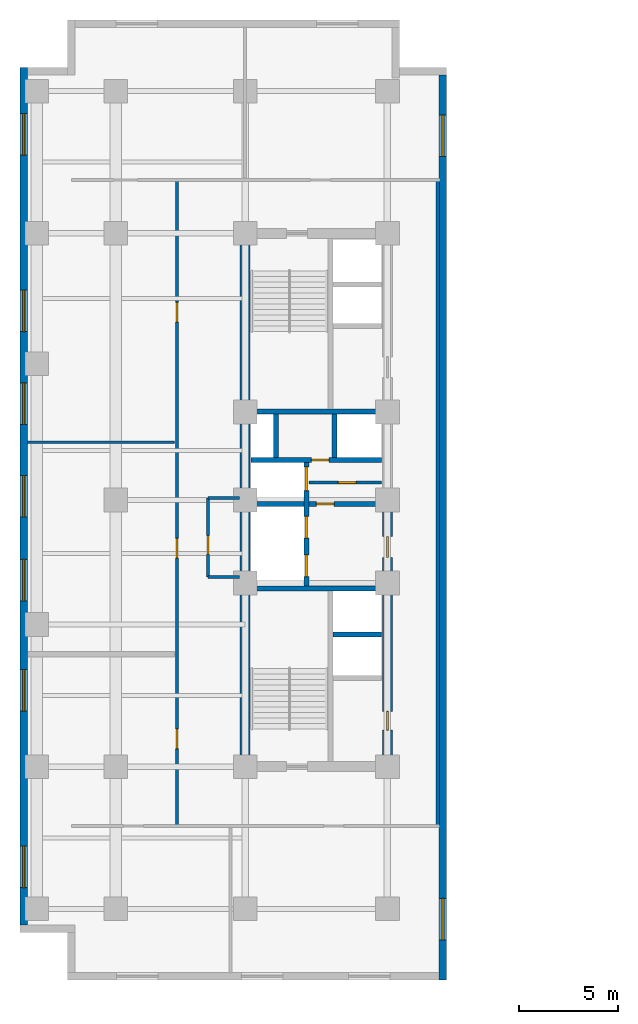
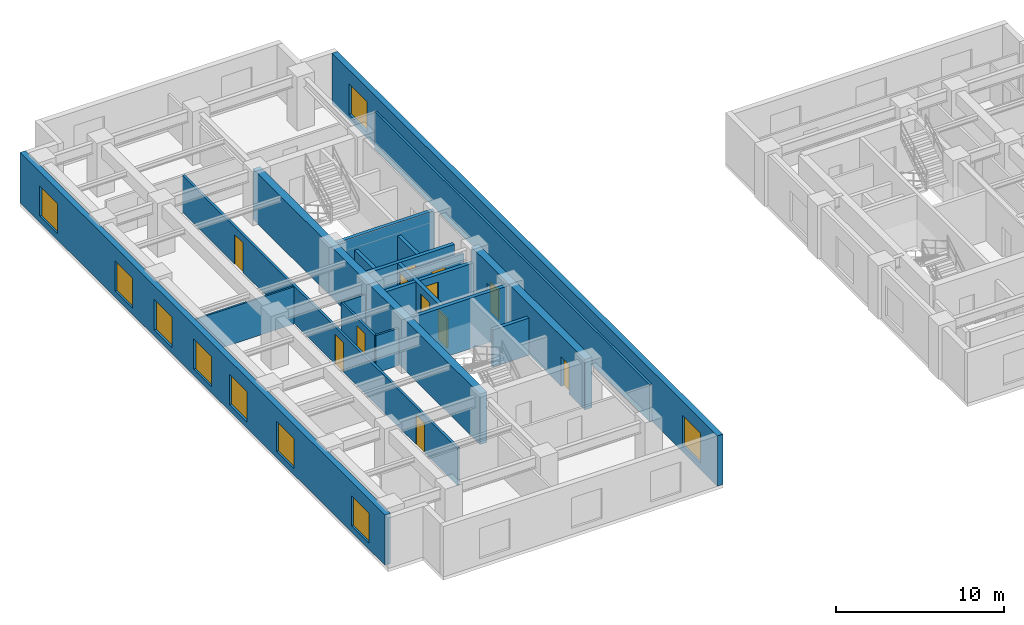
# One storey, part 3 of 8: 19 walls, 12 doors, 9 windows, 21 openings.
"""IFC4 building model written with IfcOpenShell, lengths in metres."""

from ifc_helpers import new_model, entity, si_unit, converted_unit, direction, frame, origin_with_axes, origin_2d_with_axis, place, context, subcontext, project, spatial, polyline, rectangle, outline, extrude, material, layer, layer_set, type_object, element, fill, save


model = new_model("IFC4")

# Units and contexts
model_context = context("Model", 3, precision=1e-05, world=origin_with_axes(), true_north=direction((0.0, 1.0)))
body_context = subcontext(model_context, "Body", "Model", "MODEL_VIEW")
ifc_project = project(units=[si_unit("LENGTHUNIT", "METRE"), si_unit("AREAUNIT", "SQUARE_METRE"), si_unit("VOLUMEUNIT", "CUBIC_METRE"), converted_unit("PLANEANGLEUNIT", "DEGREE", entity("IfcPlaneAngleMeasure", 0.017453292519943295), si_unit("PLANEANGLEUNIT", "RADIAN"), dimensions=[0, 0, 0, 0, 0, 0, 0]), si_unit("MASSUNIT", "GRAM", prefix="KILO"), si_unit("THERMODYNAMICTEMPERATUREUNIT", "KELVIN")], contexts=[model_context])

# Site, building, storey
site_placement = place(None, origin_with_axes())
site = spatial("IfcSite", under=ifc_project, at=site_placement, CompositionType="ELEMENT")
building_placement = place(site_placement, origin_with_axes())
building = spatial("IfcBuilding", under=site, at=building_placement, Name="Varnlund Millrace Tower", CompositionType="ELEMENT")
storey_placement = place(building_placement, frame((0.0, 0.0, 89.1), z_axis=(0.0, 0.0, 1.0), x_axis=(1.0, 0.0, 0.0)))
storey = spatial("IfcBuildingStorey", under=building, at=storey_placement, Name="L21", CompositionType="ELEMENT", Elevation=89.1)

# Wall
ifc_material_1 = material(Name="Concrete C70/85", Category="concrete")
ifc_layer_1 = layer(ifc_material_1, 0.5, Name="Concrete C70/85")
ifc_layer_set_1 = layer_set([ifc_layer_1], Name="Concrete C70/85")
wall_type_1 = type_object("IfcWallType", Name="Type-CoreWall-Shear-500-C70", PredefinedType="SHEAR", material=ifc_layer_set_1)
wall_1_placement = place(storey_placement, frame((11.4, 10.8, 0.0), z_axis=(0.0, 0.0, 1.0), x_axis=(0.0, 1.0, 0.0)))
element("IfcWall", 1, at=wall_1_placement, inside=storey, type_object=wall_type_1, Name="Type-CoreWall-Shear-500-C70", PredefinedType="SHEAR", context=body_context, shape_type="SweptSolid", body=[
    extrude(outline(polyline([(0.0, -0.25), (27.0, -0.25), (27.0, 0.25), (0.0, 0.25), (0.0, -0.25)])), origin_with_axes(), (0.0, 0.0, 1.0), 3.66),
])

# Wall, openings, doors
wall_2_placement = place(storey_placement, frame((18.6, 10.8, 0.0), z_axis=(0.0, 0.0, 1.0), x_axis=(0.0, 1.0, 0.0)))
wall_2 = element("IfcWall", 2, at=wall_2_placement, inside=storey, type_object=wall_type_1, Name="Type-CoreWall-Shear-500-C70", PredefinedType="SHEAR", context=body_context, shape_type="SweptSolid", body=[
    extrude(outline(polyline([(0.0, -0.25), (13.5, -0.25), (13.5, 0.25), (0.0, 0.25), (0.0, -0.25)])), origin_with_axes(), (0.0, 0.0, 1.0), 3.66),
])
opening_1_placement = place(wall_2_placement, frame((11.125, 0.0, 0.0), z_axis=(0.0, 0.0, 1.0), x_axis=(1.0, 0.0, 0.0)))
opening_1 = element("IfcOpeningElement", 3, at=opening_1_placement, cuts=wall_2, Name="Opening L21:DR-FFLOB-A", PredefinedType="OPENING", context=body_context, shape_type="SweptSolid", body=[
    extrude(rectangle(XDim=1.05, YDim=0.52, at=origin_2d_with_axis()), origin_with_axes(), (0.0, 0.0, 1.0), 2.15),
])
opening_2_placement = place(wall_2_placement, frame((2.325, 0.0, 0.0), z_axis=(0.0, 0.0, 1.0), x_axis=(1.0, 0.0, 0.0)))
opening_2 = element("IfcOpeningElement", 4, at=opening_2_placement, cuts=wall_2, Name="Opening L21:DR-RECL-B1", PredefinedType="OPENING", context=body_context, shape_type="SweptSolid", body=[
    extrude(rectangle(XDim=0.95, YDim=0.52, at=origin_2d_with_axis()), origin_with_axes(), (0.0, 0.0, 1.0), 2.15),
])
ifc_material_2 = material(Name="Smoke-barrier hollow steel fire door", Category="steel")
door_type_1 = type_object("IfcDoorType", Name="Type-FireDoor-Lobby-1050X2150", OperationType="NOTDEFINED", PredefinedType="DOOR", material=ifc_material_2)
door_1_placement = place(wall_2_placement, frame((11.125, 0.0, 0.0), z_axis=(0.0, 0.0, 1.0), x_axis=(1.0, 0.0, 0.0)))
door_1 = element("IfcDoor", 5, at=door_1_placement, inside=storey, type_object=door_type_1, Name="Type-FireDoor-Lobby-1050X2150", OperationType="SINGLE_SWING_LEFT", OverallHeight=2.15, OverallWidth=1.05, PredefinedType="DOOR", context=body_context, shape_type="SweptSolid", body=[
    extrude(rectangle(XDim=1.05, YDim=0.09, at=origin_2d_with_axis()), origin_with_axes(), (0.0, 0.0, 1.0), 2.15),
])
fill(opening_1, door_1)
ifc_material_3 = material(Name="Fire-rated hollow steel core service door", Category="steel")
door_type_2 = type_object("IfcDoorType", Name="Type-FireDoor-Service-950X2150", OperationType="NOTDEFINED", PredefinedType="DOOR", material=ifc_material_3)
door_2_placement = place(wall_2_placement, frame((2.325, 0.0, 0.0), z_axis=(0.0, 0.0, 1.0), x_axis=(1.0, 0.0, 0.0)))
door_2 = element("IfcDoor", 6, at=door_2_placement, inside=storey, type_object=door_type_2, Name="Type-FireDoor-Service-950X2150", OperationType="SINGLE_SWING_LEFT", OverallHeight=2.15, OverallWidth=0.95, PredefinedType="DOOR", context=body_context, shape_type="SweptSolid", body=[
    extrude(rectangle(XDim=0.95, YDim=0.09, at=origin_2d_with_axis()), origin_with_axes(), (0.0, 0.0, 1.0), 2.15),
])
fill(opening_2, door_2)

# Wall, openings, windows
ifc_material_4 = material(Name="Precast concrete C50/60", Category="concrete")
ifc_layer_2 = layer(ifc_material_4, 0.38, Name="Precast concrete C50/60")
ifc_layer_set_2 = layer_set([ifc_layer_2], Name="Precast concrete C50/60")
wall_type_2 = type_object("IfcWallType", Name="Type-ExtWall-Precast-Tube-380", PredefinedType="SOLIDWALL", material=ifc_layer_set_2)
wall_3_placement = place(storey_placement, frame((0.19, 2.78, 0.0), z_axis=(0.0, 0.0, 1.0), x_axis=(0.0, 1.0, 0.0)))
wall_3 = element("IfcWall", 7, at=wall_3_placement, inside=storey, type_object=wall_type_2, Name="Type-ExtWall-Precast-Tube-380", PredefinedType="SOLIDWALL", context=body_context, shape_type="SweptSolid", body=[
    extrude(outline(polyline([(0.0, -0.19), (43.42, -0.19), (43.42, 0.19), (0.0, 0.19), (0.0, -0.19)])), origin_with_axes(), (0.0, 0.0, 1.0), 3.66),
])
opening_3_placement = place(wall_3_placement, frame((2.946, 0.0, 0.45), z_axis=(0.0, 0.0, 1.0), x_axis=(1.0, 0.0, 0.0)))
opening_3 = element("IfcOpeningElement", 8, at=opening_3_placement, cuts=wall_3, Name="Opening L21:WN-01", PredefinedType="OPENING", context=body_context, shape_type="SweptSolid", body=[
    extrude(rectangle(XDim=2.1, YDim=0.4, at=origin_2d_with_axis()), origin_with_axes(), (0.0, 0.0, 1.0), 2.2),
])
opening_4_placement = place(wall_3_placement, frame((11.878, 0.0, 0.45), z_axis=(0.0, 0.0, 1.0), x_axis=(1.0, 0.0, 0.0)))
opening_4 = element("IfcOpeningElement", 9, at=opening_4_placement, cuts=wall_3, Name="Opening L21:WN-02", PredefinedType="OPENING", context=body_context, shape_type="SweptSolid", body=[
    extrude(rectangle(XDim=2.1, YDim=0.4, at=origin_2d_with_axis()), origin_with_axes(), (0.0, 0.0, 1.0), 2.2),
])
opening_5_placement = place(wall_3_placement, frame((17.469, 0.0, 0.45), z_axis=(0.0, 0.0, 1.0), x_axis=(1.0, 0.0, 0.0)))
opening_5 = element("IfcOpeningElement", 10, at=opening_5_placement, cuts=wall_3, Name="Opening L21:WN-03", PredefinedType="OPENING", context=body_context, shape_type="SweptSolid", body=[
    extrude(rectangle(XDim=2.1, YDim=0.4, at=origin_2d_with_axis()), origin_with_axes(), (0.0, 0.0, 1.0), 2.2),
])
opening_6_placement = place(wall_3_placement, frame((21.71, 0.0, 0.45), z_axis=(0.0, 0.0, 1.0), x_axis=(1.0, 0.0, 0.0)))
opening_6 = element("IfcOpeningElement", 11, at=opening_6_placement, cuts=wall_3, Name="Opening L21:WN-04", PredefinedType="OPENING", context=body_context, shape_type="SweptSolid", body=[
    extrude(rectangle(XDim=2.1, YDim=0.4, at=origin_2d_with_axis()), origin_with_axes(), (0.0, 0.0, 1.0), 2.2),
])
opening_7_placement = place(wall_3_placement, frame((26.401, 0.0, 0.45), z_axis=(0.0, 0.0, 1.0), x_axis=(1.0, 0.0, 0.0)))
opening_7 = element("IfcOpeningElement", 12, at=opening_7_placement, cuts=wall_3, Name="Opening L21:WN-05", PredefinedType="OPENING", context=body_context, shape_type="SweptSolid", body=[
    extrude(rectangle(XDim=2.1, YDim=0.4, at=origin_2d_with_axis()), origin_with_axes(), (0.0, 0.0, 1.0), 2.2),
])
opening_8_placement = place(wall_3_placement, frame((31.092, 0.0, 0.45), z_axis=(0.0, 0.0, 1.0), x_axis=(1.0, 0.0, 0.0)))
opening_8 = element("IfcOpeningElement", 13, at=opening_8_placement, cuts=wall_3, Name="Opening L21:WN-06", PredefinedType="OPENING", context=body_context, shape_type="SweptSolid", body=[
    extrude(rectangle(XDim=2.1, YDim=0.4, at=origin_2d_with_axis()), origin_with_axes(), (0.0, 0.0, 1.0), 2.2),
])
opening_9_placement = place(wall_3_placement, frame((40.024, 0.0, 0.45), z_axis=(0.0, 0.0, 1.0), x_axis=(1.0, 0.0, 0.0)))
opening_9 = element("IfcOpeningElement", 14, at=opening_9_placement, cuts=wall_3, Name="Opening L21:WN-07", PredefinedType="OPENING", context=body_context, shape_type="SweptSolid", body=[
    extrude(rectangle(XDim=2.1, YDim=0.4, at=origin_2d_with_axis()), origin_with_axes(), (0.0, 0.0, 1.0), 2.2),
])
ifc_material_5 = material(Name="Argon low-e triple glazing in thermally broken bronze frame", Category="glass")
window_type = type_object("IfcWindowType", Name="Type-Window-Punched-2100X2200", PartitioningType="SINGLE_PANEL", PredefinedType="WINDOW", material=ifc_material_5)
window_1_placement = place(wall_3_placement, frame((2.946, 0.0, 0.45), z_axis=(0.0, 0.0, 1.0), x_axis=(1.0, 0.0, 0.0)))
window_1 = element("IfcWindow", 15, at=window_1_placement, inside=storey, type_object=window_type, Name="Type-Window-Punched-2100X2200", OverallHeight=2.2, OverallWidth=2.1, PredefinedType="WINDOW", context=body_context, shape_type="SweptSolid", body=[
    extrude(rectangle(XDim=2.1, YDim=0.09, at=origin_2d_with_axis()), origin_with_axes(), (0.0, 0.0, 1.0), 2.2),
])
fill(opening_3, window_1)
window_2_placement = place(wall_3_placement, frame((11.878, 0.0, 0.45), z_axis=(0.0, 0.0, 1.0), x_axis=(1.0, 0.0, 0.0)))
window_2 = element("IfcWindow", 16, at=window_2_placement, inside=storey, type_object=window_type, Name="Type-Window-Punched-2100X2200", OverallHeight=2.2, OverallWidth=2.1, PredefinedType="WINDOW", context=body_context, shape_type="SweptSolid", body=[
    extrude(rectangle(XDim=2.1, YDim=0.09, at=origin_2d_with_axis()), origin_with_axes(), (0.0, 0.0, 1.0), 2.2),
])
fill(opening_4, window_2)
window_3_placement = place(wall_3_placement, frame((17.469, 0.0, 0.45), z_axis=(0.0, 0.0, 1.0), x_axis=(1.0, 0.0, 0.0)))
window_3 = element("IfcWindow", 17, at=window_3_placement, inside=storey, type_object=window_type, Name="Type-Window-Punched-2100X2200", OverallHeight=2.2, OverallWidth=2.1, PredefinedType="WINDOW", context=body_context, shape_type="SweptSolid", body=[
    extrude(rectangle(XDim=2.1, YDim=0.09, at=origin_2d_with_axis()), origin_with_axes(), (0.0, 0.0, 1.0), 2.2),
])
fill(opening_5, window_3)
window_4_placement = place(wall_3_placement, frame((21.71, 0.0, 0.45), z_axis=(0.0, 0.0, 1.0), x_axis=(1.0, 0.0, 0.0)))
window_4 = element("IfcWindow", 18, at=window_4_placement, inside=storey, type_object=window_type, Name="Type-Window-Punched-2100X2200", OverallHeight=2.2, OverallWidth=2.1, PredefinedType="WINDOW", context=body_context, shape_type="SweptSolid", body=[
    extrude(rectangle(XDim=2.1, YDim=0.09, at=origin_2d_with_axis()), origin_with_axes(), (0.0, 0.0, 1.0), 2.2),
])
fill(opening_6, window_4)
window_5_placement = place(wall_3_placement, frame((26.401, 0.0, 0.45), z_axis=(0.0, 0.0, 1.0), x_axis=(1.0, 0.0, 0.0)))
window_5 = element("IfcWindow", 19, at=window_5_placement, inside=storey, type_object=window_type, Name="Type-Window-Punched-2100X2200", OverallHeight=2.2, OverallWidth=2.1, PredefinedType="WINDOW", context=body_context, shape_type="SweptSolid", body=[
    extrude(rectangle(XDim=2.1, YDim=0.09, at=origin_2d_with_axis()), origin_with_axes(), (0.0, 0.0, 1.0), 2.2),
])
fill(opening_7, window_5)
window_6_placement = place(wall_3_placement, frame((31.092, 0.0, 0.45), z_axis=(0.0, 0.0, 1.0), x_axis=(1.0, 0.0, 0.0)))
window_6 = element("IfcWindow", 20, at=window_6_placement, inside=storey, type_object=window_type, Name="Type-Window-Punched-2100X2200", OverallHeight=2.2, OverallWidth=2.1, PredefinedType="WINDOW", context=body_context, shape_type="SweptSolid", body=[
    extrude(rectangle(XDim=2.1, YDim=0.09, at=origin_2d_with_axis()), origin_with_axes(), (0.0, 0.0, 1.0), 2.2),
])
fill(opening_8, window_6)
window_7_placement = place(wall_3_placement, frame((40.024, 0.0, 0.45), z_axis=(0.0, 0.0, 1.0), x_axis=(1.0, 0.0, 0.0)))
window_7 = element("IfcWindow", 21, at=window_7_placement, inside=storey, type_object=window_type, Name="Type-Window-Punched-2100X2200", OverallHeight=2.2, OverallWidth=2.1, PredefinedType="WINDOW", context=body_context, shape_type="SweptSolid", body=[
    extrude(rectangle(XDim=2.1, YDim=0.09, at=origin_2d_with_axis()), origin_with_axes(), (0.0, 0.0, 1.0), 2.2),
])
fill(opening_9, window_7)

wall_4_placement = place(storey_placement, frame((21.41, 45.82, 0.0), z_axis=(0.0, 0.0, 1.0), x_axis=(0.0, -1.0, 0.0)))
wall_4 = element("IfcWall", 22, at=wall_4_placement, inside=storey, type_object=wall_type_2, Name="Type-ExtWall-Precast-Tube-380", PredefinedType="SOLIDWALL", context=body_context, shape_type="SweptSolid", body=[
    extrude(outline(polyline([(0.0, -0.19), (45.82, -0.19), (45.82, 0.19), (0.0, 0.19), (0.0, -0.19)])), origin_with_axes(), (0.0, 0.0, 1.0), 3.66),
])
opening_10_placement = place(wall_4_placement, frame((3.079, 0.0, 0.45), z_axis=(0.0, 0.0, 1.0), x_axis=(1.0, 0.0, 0.0)))
opening_10 = element("IfcOpeningElement", 23, at=opening_10_placement, cuts=wall_4, Name="Opening L21:WN-10", PredefinedType="OPENING", context=body_context, shape_type="SweptSolid", body=[
    extrude(rectangle(XDim=2.1, YDim=0.4, at=origin_2d_with_axis()), origin_with_axes(), (0.0, 0.0, 1.0), 2.2),
])
opening_11_placement = place(wall_4_placement, frame((42.741, 0.0, 0.45), z_axis=(0.0, 0.0, 1.0), x_axis=(1.0, 0.0, 0.0)))
opening_11 = element("IfcOpeningElement", 24, at=opening_11_placement, cuts=wall_4, Name="Opening L21:WN-11", PredefinedType="OPENING", context=body_context, shape_type="SweptSolid", body=[
    extrude(rectangle(XDim=2.1, YDim=0.4, at=origin_2d_with_axis()), origin_with_axes(), (0.0, 0.0, 1.0), 2.2),
])
window_8_placement = place(wall_4_placement, frame((3.079, 0.0, 0.45), z_axis=(0.0, 0.0, 1.0), x_axis=(1.0, 0.0, 0.0)))
window_8 = element("IfcWindow", 25, at=window_8_placement, inside=storey, type_object=window_type, Name="Type-Window-Punched-2100X2200", OverallHeight=2.2, OverallWidth=2.1, PredefinedType="WINDOW", context=body_context, shape_type="SweptSolid", body=[
    extrude(rectangle(XDim=2.1, YDim=0.09, at=origin_2d_with_axis()), origin_with_axes(), (0.0, 0.0, 1.0), 2.2),
])
fill(opening_10, window_8)
window_9_placement = place(wall_4_placement, frame((42.741, 0.0, 0.45), z_axis=(0.0, 0.0, 1.0), x_axis=(1.0, 0.0, 0.0)))
window_9 = element("IfcWindow", 26, at=window_9_placement, inside=storey, type_object=window_type, Name="Type-Window-Punched-2100X2200", OverallHeight=2.2, OverallWidth=2.1, PredefinedType="WINDOW", context=body_context, shape_type="SweptSolid", body=[
    extrude(rectangle(XDim=2.1, YDim=0.09, at=origin_2d_with_axis()), origin_with_axes(), (0.0, 0.0, 1.0), 2.2),
])
fill(opening_11, window_9)

# Wall, opening, door
ifc_material_6 = material(Name="Fire-rated gypsum board on cold-formed steel framing", Category="steel")
ifc_layer_3 = layer(ifc_material_6, 0.16, Name="Fire-rated gypsum board on cold-formed steel framing")
ifc_layer_set_3 = layer_set([ifc_layer_3], Name="Fire-rated gypsum board on cold-formed steel framing")
wall_type_3 = type_object("IfcWallType", Name="Type-Partition-Corridor-160", PredefinedType="PARTITIONING", material=ifc_layer_set_3)
wall_5_placement = place(storey_placement, frame((14.62, 25.18, 0.0), z_axis=(0.0, 0.0, 1.0), x_axis=(1.0, 0.0, 0.0)))
wall_5 = element("IfcWall", 27, at=wall_5_placement, inside=storey, type_object=wall_type_3, Name="Type-Partition-Corridor-160", PredefinedType="PARTITIONING", context=body_context, shape_type="SweptSolid", body=[
    extrude(outline(polyline([(0.0, -0.08), (3.68, -0.08), (3.68, 0.08), (0.0, 0.08), (0.0, -0.08)])), origin_with_axes(), (0.0, 0.0, 1.0), 2.7),
])
opening_12_placement = place(wall_5_placement, frame((1.95, 0.0, 0.0), z_axis=(0.0, 0.0, 1.0), x_axis=(1.0, 0.0, 0.0)))
opening_12 = element("IfcOpeningElement", 28, at=opening_12_placement, cuts=wall_5, Name="Opening L21:DR-CA-SUB2", PredefinedType="OPENING", context=body_context, shape_type="SweptSolid", body=[
    extrude(rectangle(XDim=0.9, YDim=0.18, at=origin_2d_with_axis()), origin_with_axes(), (0.0, 0.0, 1.0), 2.15),
])
ifc_material_7 = material(Name="Painted steel riser and closet door", Category="steel")
door_type_3 = type_object("IfcDoorType", Name="Type-IntDoor-Closet-900X2150", OperationType="NOTDEFINED", PredefinedType="DOOR", material=ifc_material_7)
door_3_placement = place(wall_5_placement, frame((1.95, 0.0, 0.0), z_axis=(0.0, 0.0, 1.0), x_axis=(1.0, 0.0, 0.0)))
door_3 = element("IfcDoor", 29, at=door_3_placement, inside=storey, type_object=door_type_3, Name="Type-IntDoor-Closet-900X2150", OperationType="SINGLE_SWING_LEFT", OverallHeight=2.15, OverallWidth=0.9, PredefinedType="DOOR", context=body_context, shape_type="SweptSolid", body=[
    extrude(rectangle(XDim=0.9, YDim=0.09, at=origin_2d_with_axis()), origin_with_axes(), (0.0, 0.0, 1.0), 2.15),
])
fill(opening_12, door_3)

# Wall
wall_6_placement = place(storey_placement, frame((21.15, 7.8, 0.0), z_axis=(0.0, 0.0, 1.0), x_axis=(0.0, 1.0, 0.0)))
element("IfcWall", 30, at=wall_6_placement, inside=storey, type_object=wall_type_3, Name="Type-Partition-Corridor-160", PredefinedType="PARTITIONING", context=body_context, shape_type="SweptSolid", body=[
    extrude(outline(polyline([(0.0, -0.08), (32.7, -0.08), (32.7, 0.08), (0.0, 0.08), (0.0, -0.08)])), origin_with_axes(), (0.0, 0.0, 1.0), 2.7),
])

# Wall, openings, doors
wall_7_placement = place(storey_placement, frame((7.95, 7.8, 0.0), z_axis=(0.0, 0.0, 1.0), x_axis=(0.0, 1.0, 0.0)))
wall_7 = element("IfcWall", 31, at=wall_7_placement, inside=storey, type_object=wall_type_3, Name="Type-Partition-Corridor-160", PredefinedType="PARTITIONING", context=body_context, shape_type="SweptSolid", body=[
    extrude(outline(polyline([(0.0, -0.08), (32.7, -0.08), (32.7, 0.08), (0.0, 0.08), (0.0, -0.08)])), origin_with_axes(), (0.0, 0.0, 1.0), 2.7),
])
opening_13_placement = place(wall_7_placement, frame((4.411, 0.0, 0.0), z_axis=(0.0, 0.0, 1.0), x_axis=(1.0, 0.0, 0.0)))
opening_13 = element("IfcOpeningElement", 32, at=opening_13_placement, cuts=wall_7, Name="Opening L21:DR-W-01", PredefinedType="OPENING", context=body_context, shape_type="SweptSolid", body=[
    extrude(rectangle(XDim=1.0, YDim=0.18, at=origin_2d_with_axis()), origin_with_axes(), (0.0, 0.0, 1.0), 2.15),
])
opening_14_placement = place(wall_7_placement, frame((14.0605, 0.0, 0.0), z_axis=(0.0, 0.0, 1.0), x_axis=(1.0, 0.0, 0.0)))
opening_14 = element("IfcOpeningElement", 33, at=opening_14_placement, cuts=wall_7, Name="Opening L21:DR-W-02", PredefinedType="OPENING", context=body_context, shape_type="SweptSolid", body=[
    extrude(rectangle(XDim=1.0, YDim=0.18, at=origin_2d_with_axis()), origin_with_axes(), (0.0, 0.0, 1.0), 2.15),
])
opening_15_placement = place(wall_7_placement, frame((25.9995, 0.0, 0.0), z_axis=(0.0, 0.0, 1.0), x_axis=(1.0, 0.0, 0.0)))
opening_15 = element("IfcOpeningElement", 34, at=opening_15_placement, cuts=wall_7, Name="Opening L21:DR-W-03", PredefinedType="OPENING", context=body_context, shape_type="SweptSolid", body=[
    extrude(rectangle(XDim=1.0, YDim=0.18, at=origin_2d_with_axis()), origin_with_axes(), (0.0, 0.0, 1.0), 2.15),
])
ifc_material_8 = material(Name="Solid-core white oak and bronze frame door")
door_type_4 = type_object("IfcDoorType", Name="Type-IntDoor-Office-1000X2150", OperationType="NOTDEFINED", PredefinedType="DOOR", material=ifc_material_8)
door_4_placement = place(wall_7_placement, frame((4.411, 0.0, 0.0), z_axis=(0.0, 0.0, 1.0), x_axis=(1.0, 0.0, 0.0)))
door_4 = element("IfcDoor", 35, at=door_4_placement, inside=storey, type_object=door_type_4, Name="Type-IntDoor-Office-1000X2150", OperationType="SINGLE_SWING_LEFT", OverallHeight=2.15, OverallWidth=1.0, PredefinedType="DOOR", context=body_context, shape_type="SweptSolid", body=[
    extrude(rectangle(XDim=1.0, YDim=0.09, at=origin_2d_with_axis()), origin_with_axes(), (0.0, 0.0, 1.0), 2.15),
])
fill(opening_13, door_4)
door_5_placement = place(wall_7_placement, frame((14.0605, 0.0, 0.0), z_axis=(0.0, 0.0, 1.0), x_axis=(1.0, 0.0, 0.0)))
door_5 = element("IfcDoor", 36, at=door_5_placement, inside=storey, type_object=door_type_4, Name="Type-IntDoor-Office-1000X2150", OperationType="SINGLE_SWING_RIGHT", OverallHeight=2.15, OverallWidth=1.0, PredefinedType="DOOR", context=body_context, shape_type="SweptSolid", body=[
    extrude(rectangle(XDim=1.0, YDim=0.09, at=origin_2d_with_axis()), origin_with_axes(), (0.0, 0.0, 1.0), 2.15),
])
fill(opening_14, door_5)
door_6_placement = place(wall_7_placement, frame((25.9995, 0.0, 0.0), z_axis=(0.0, 0.0, 1.0), x_axis=(1.0, 0.0, 0.0)))
door_6 = element("IfcDoor", 37, at=door_6_placement, inside=storey, type_object=door_type_4, Name="Type-IntDoor-Office-1000X2150", OperationType="SINGLE_SWING_LEFT", OverallHeight=2.15, OverallWidth=1.0, PredefinedType="DOOR", context=body_context, shape_type="SweptSolid", body=[
    extrude(rectangle(XDim=1.0, YDim=0.09, at=origin_2d_with_axis()), origin_with_axes(), (0.0, 0.0, 1.0), 2.15),
])
fill(opening_15, door_6)

# Wall
ifc_material_9 = material(Name="Gypsum board tenant partition", Category="gypsum")
ifc_layer_4 = layer(ifc_material_9, 0.125, Name="Gypsum board tenant partition")
ifc_layer_set_4 = layer_set([ifc_layer_4], Name="Gypsum board tenant partition")
wall_type_4 = type_object("IfcWallType", Name="Type-Partition-Tenant-125", PredefinedType="PARTITIONING", material=ifc_layer_set_4)
wall_8_placement = place(storey_placement, frame((0.375, 27.229, 0.0), z_axis=(0.0, 0.0, 1.0), x_axis=(1.0, 0.0, 0.0)))
element("IfcWall", 38, at=wall_8_placement, inside=storey, type_object=wall_type_4, Name="Type-Partition-Tenant-125", PredefinedType="PARTITIONING", context=body_context, shape_type="SweptSolid", body=[
    extrude(outline(polyline([(0.0, -0.0625), (7.455, -0.0625), (7.455, 0.0625), (0.0, 0.0625), (0.0, -0.0625)])), origin_with_axes(), (0.0, 0.0, 1.0), 2.7),
])

# Wall, opening, door
ifc_material_10 = material(Name="Moisture-resistant gypsum restroom partition", Category="gypsum")
ifc_layer_5 = layer(ifc_material_10, 0.14, Name="Moisture-resistant gypsum restroom partition")
ifc_layer_set_5 = layer_set([ifc_layer_5], Name="Moisture-resistant gypsum restroom partition")
wall_type_5 = type_object("IfcWallType", Name="Type-Partition-Wet-140", PredefinedType="PARTITIONING", material=ifc_layer_set_5)
wall_9_placement = place(storey_placement, frame((9.52, 20.4, 0.0), z_axis=(0.0, 0.0, 1.0), x_axis=(0.0, 1.0, 0.0)))
wall_9 = element("IfcWall", 39, at=wall_9_placement, inside=storey, type_object=wall_type_5, Name="Type-Partition-Wet-140", PredefinedType="PARTITIONING", context=body_context, shape_type="SweptSolid", body=[
    extrude(outline(polyline([(0.0, -0.07), (4.0, -0.07), (4.0, 0.07), (0.0, 0.07), (0.0, -0.07)])), origin_with_axes(), (0.0, 0.0, 1.0), 2.7),
])
opening_16_placement = place(wall_9_placement, frame((1.625, 0.0, 0.0), z_axis=(0.0, 0.0, 1.0), x_axis=(1.0, 0.0, 0.0)))
opening_16 = element("IfcOpeningElement", 40, at=opening_16_placement, cuts=wall_9, Name="Opening L21:DR-CA-WCW", PredefinedType="OPENING", context=body_context, shape_type="SweptSolid", body=[
    extrude(rectangle(XDim=0.95, YDim=0.16, at=origin_2d_with_axis()), origin_with_axes(), (0.0, 0.0, 1.0), 2.15),
])
ifc_material_11 = material(Name="Solid-core acoustic office door")
door_type_5 = type_object("IfcDoorType", Name="Type-IntDoor-Tenant-950X2150", OperationType="NOTDEFINED", PredefinedType="DOOR", material=ifc_material_11)
door_7_placement = place(wall_9_placement, frame((1.625, 0.0, 0.0), z_axis=(0.0, 0.0, 1.0), x_axis=(1.0, 0.0, 0.0)))
door_7 = element("IfcDoor", 41, at=door_7_placement, inside=storey, type_object=door_type_5, Name="Type-IntDoor-Tenant-950X2150", OperationType="SINGLE_SWING_LEFT", OverallHeight=2.15, OverallWidth=0.95, PredefinedType="DOOR", context=body_context, shape_type="SweptSolid", body=[
    extrude(rectangle(XDim=0.95, YDim=0.084, at=origin_2d_with_axis()), origin_with_axes(), (0.0, 0.0, 1.0), 2.15),
])
fill(opening_16, door_7)

# Walls
for number, where, z_axis, x_axis, name in (
    (42, (9.52, 20.4, 0.0), (0.0, 0.0, 1.0), (1.0, 0.0, 0.0), "Type-Partition-Wet-140"),
    (43, (9.52, 24.4, 0.0), (0.0, 0.0, 1.0), (1.0, 0.0, 0.0), "Type-Partition-Wet-140"),
):
    element("IfcWall", number, at=place(storey_placement, frame(where, z_axis=z_axis, x_axis=x_axis)), inside=storey, type_object=wall_type_5, Name=name, PredefinedType="PARTITIONING", context=body_context, shape_type="SweptSolid", body=[
        extrude(outline(polyline([(0.0, -0.07), (1.58, -0.07), (1.58, 0.07), (0.0, 0.07), (0.0, -0.07)])), origin_with_axes(), (0.0, 0.0, 1.0), 2.7),
    ])

# Wall, openings, doors
ifc_material_12 = material(Name="Concrete C60/75", Category="concrete")
ifc_layer_6 = layer(ifc_material_12, 0.25, Name="Concrete C60/75")
ifc_layer_set_6 = layer_set([ifc_layer_6], Name="Concrete C60/75")
wall_type_6 = type_object("IfcWallType", Name="Type-ShaftWall-Fire-250", PredefinedType="SOLIDWALL", material=ifc_layer_set_6)
wall_10_placement = place(storey_placement, frame((14.5, 19.95, 0.0), z_axis=(0.0, 0.0, 1.0), x_axis=(0.0, 1.0, 0.0)))
wall_10 = element("IfcWall", 44, at=wall_10_placement, inside=storey, type_object=wall_type_6, Name="Type-ShaftWall-Fire-250", PredefinedType="SOLIDWALL", context=body_context, shape_type="SweptSolid", body=[
    extrude(outline(polyline([(0.0, -0.125), (6.25, -0.125), (6.25, 0.125), (0.0, 0.125), (0.0, -0.125)])), origin_with_axes(), (0.0, 0.0, 1.0), 2.7),
])
opening_17_placement = place(wall_10_placement, frame((1.025, 0.0, 0.0), z_axis=(0.0, 0.0, 1.0), x_axis=(1.0, 0.0, 0.0)))
opening_17 = element("IfcOpeningElement", 45, at=opening_17_placement, cuts=wall_10, Name="Opening L21:LD-FSAE1", PredefinedType="OPENING", context=body_context, shape_type="SweptSolid", body=[
    extrude(rectangle(XDim=1.1, YDim=0.27, at=origin_2d_with_axis()), origin_with_axes(), (0.0, 0.0, 1.0), 2.15),
])
opening_18_placement = place(wall_10_placement, frame((2.975, 0.0, 0.0), z_axis=(0.0, 0.0, 1.0), x_axis=(1.0, 0.0, 0.0)))
opening_18 = element("IfcOpeningElement", 46, at=opening_18_placement, cuts=wall_10, Name="Opening L21:LD-FSAE2", PredefinedType="OPENING", context=body_context, shape_type="SweptSolid", body=[
    extrude(rectangle(XDim=1.1, YDim=0.27, at=origin_2d_with_axis()), origin_with_axes(), (0.0, 0.0, 1.0), 2.15),
])
opening_19_placement = place(wall_10_placement, frame((5.425, 0.0, 0.0), z_axis=(0.0, 0.0, 1.0), x_axis=(1.0, 0.0, 0.0)))
opening_19 = element("IfcOpeningElement", 47, at=opening_19_placement, cuts=wall_10, Name="Opening L21:LD-SRV1", PredefinedType="OPENING", context=body_context, shape_type="SweptSolid", body=[
    extrude(rectangle(XDim=1.2, YDim=0.27, at=origin_2d_with_axis()), origin_with_axes(), (0.0, 0.0, 1.0), 2.15),
])
ifc_material_13 = material(Name="Stainless and architectural bronze sliding landing door")
door_type_6 = type_object("IfcDoorType", Name="Type-LiftLandingDoor-1100X2150", OperationType="NOTDEFINED", PredefinedType="DOOR", material=ifc_material_13)
door_8_placement = place(wall_10_placement, frame((1.025, 0.0, 0.0), z_axis=(0.0, 0.0, 1.0), x_axis=(1.0, 0.0, 0.0)))
door_8 = element("IfcDoor", 48, at=door_8_placement, inside=storey, type_object=door_type_6, Name="Type-LiftLandingDoor-1100X2150", OperationType="SLIDING_TO_LEFT", OverallHeight=2.15, OverallWidth=1.1, PredefinedType="DOOR", context=body_context, shape_type="SweptSolid", body=[
    extrude(rectangle(XDim=1.1, YDim=0.09, at=origin_2d_with_axis()), origin_with_axes(), (0.0, 0.0, 1.0), 2.15),
])
fill(opening_17, door_8)
door_9_placement = place(wall_10_placement, frame((2.975, 0.0, 0.0), z_axis=(0.0, 0.0, 1.0), x_axis=(1.0, 0.0, 0.0)))
door_9 = element("IfcDoor", 49, at=door_9_placement, inside=storey, type_object=door_type_6, Name="Type-LiftLandingDoor-1100X2150", OperationType="SLIDING_TO_RIGHT", OverallHeight=2.15, OverallWidth=1.1, PredefinedType="DOOR", context=body_context, shape_type="SweptSolid", body=[
    extrude(rectangle(XDim=1.1, YDim=0.09, at=origin_2d_with_axis()), origin_with_axes(), (0.0, 0.0, 1.0), 2.15),
])
fill(opening_18, door_9)
ifc_material_14 = material(Name="Heavy-duty freight sliding landing door")
door_type_7 = type_object("IfcDoorType", Name="Type-LiftLandingDoor-Service-1200X2150", OperationType="NOTDEFINED", PredefinedType="DOOR", material=ifc_material_14)
door_10_placement = place(wall_10_placement, frame((5.425, 0.0, 0.0), z_axis=(0.0, 0.0, 1.0), x_axis=(1.0, 0.0, 0.0)))
door_10 = element("IfcDoor", 50, at=door_10_placement, inside=storey, type_object=door_type_7, Name="Type-LiftLandingDoor-Service-1200X2150", OperationType="DOUBLE_DOOR_SLIDING", OverallHeight=2.15, OverallWidth=1.2, PredefinedType="DOOR", context=body_context, shape_type="SweptSolid", body=[
    extrude(rectangle(XDim=1.2, YDim=0.09, at=origin_2d_with_axis()), origin_with_axes(), (0.0, 0.0, 1.0), 2.15),
])
fill(opening_19, door_10)

# Wall, opening, door
wall_11_placement = place(storey_placement, frame((11.7, 24.1, 0.0), z_axis=(0.0, 0.0, 1.0), x_axis=(1.0, 0.0, 0.0)))
wall_11 = element("IfcWall", 51, at=wall_11_placement, inside=storey, type_object=wall_type_6, Name="Type-ShaftWall-Fire-250", PredefinedType="SOLIDWALL", context=body_context, shape_type="SweptSolid", body=[
    extrude(outline(polyline([(0.0, -0.125), (6.6, -0.125), (6.6, 0.125), (0.0, 0.125), (0.0, -0.125)])), origin_with_axes(), (0.0, 0.0, 1.0), 2.7),
])
opening_20_placement = place(wall_11_placement, frame((3.75, 0.0, 0.0), z_axis=(0.0, 0.0, 1.0), x_axis=(1.0, 0.0, 0.0)))
opening_20 = element("IfcOpeningElement", 52, at=opening_20_placement, cuts=wall_11, Name="Opening L21:DR-CA-SUB1", PredefinedType="OPENING", context=body_context, shape_type="SweptSolid", body=[
    extrude(rectangle(XDim=0.9, YDim=0.27, at=origin_2d_with_axis()), origin_with_axes(), (0.0, 0.0, 1.0), 2.15),
])
ifc_material_15 = material(Name="Fire-rated hollow steel service closet door", Category="steel")
door_type_8 = type_object("IfcDoorType", Name="Type-FireDoor-Closet-900X2150", OperationType="NOTDEFINED", PredefinedType="DOOR", material=ifc_material_15)
door_11_placement = place(wall_11_placement, frame((3.75, 0.0, 0.0), z_axis=(0.0, 0.0, 1.0), x_axis=(1.0, 0.0, 0.0)))
door_11 = element("IfcDoor", 53, at=door_11_placement, inside=storey, type_object=door_type_8, Name="Type-FireDoor-Closet-900X2150", OperationType="SINGLE_SWING_LEFT", OverallHeight=2.15, OverallWidth=0.9, PredefinedType="DOOR", context=body_context, shape_type="SweptSolid", body=[
    extrude(rectangle(XDim=0.9, YDim=0.09, at=origin_2d_with_axis()), origin_with_axes(), (0.0, 0.0, 1.0), 2.15),
])
fill(opening_20, door_11)

wall_12_placement = place(storey_placement, frame((11.7, 26.325, 0.0), z_axis=(0.0, 0.0, 1.0), x_axis=(1.0, 0.0, 0.0)))
wall_12 = element("IfcWall", 54, at=wall_12_placement, inside=storey, type_object=wall_type_6, Name="Type-ShaftWall-Fire-250", PredefinedType="SOLIDWALL", context=body_context, shape_type="SweptSolid", body=[
    extrude(outline(polyline([(0.0, -0.125), (6.6, -0.125), (6.6, 0.125), (0.0, 0.125), (0.0, -0.125)])), origin_with_axes(), (0.0, 0.0, 1.0), 2.7),
])
opening_21_placement = place(wall_12_placement, frame((3.5, 0.0, 0.0), z_axis=(0.0, 0.0, 1.0), x_axis=(1.0, 0.0, 0.0)))
opening_21 = element("IfcOpeningElement", 55, at=opening_21_placement, cuts=wall_12, Name="Opening L21:DR-CA-ELC", PredefinedType="OPENING", context=body_context, shape_type="SweptSolid", body=[
    extrude(rectangle(XDim=0.9, YDim=0.27, at=origin_2d_with_axis()), origin_with_axes(), (0.0, 0.0, 1.0), 2.15),
])
door_12_placement = place(wall_12_placement, frame((3.5, 0.0, 0.0), z_axis=(0.0, 0.0, 1.0), x_axis=(1.0, 0.0, 0.0)))
door_12 = element("IfcDoor", 56, at=door_12_placement, inside=storey, type_object=door_type_8, Name="Type-FireDoor-Closet-900X2150", OperationType="SINGLE_SWING_LEFT", OverallHeight=2.15, OverallWidth=0.9, PredefinedType="DOOR", context=body_context, shape_type="SweptSolid", body=[
    extrude(rectangle(XDim=0.9, YDim=0.09, at=origin_2d_with_axis()), origin_with_axes(), (0.0, 0.0, 1.0), 2.15),
])
fill(opening_21, door_12)

# Walls
for number, where, z_axis, x_axis, name in (
    (57, (12.96, 26.45, 0.0), (0.0, 0.0, 1.0), (0.0, 1.0, 0.0), "Type-ShaftWall-Fire-250"),
    (58, (15.925, 26.45, 0.0), (0.0, 0.0, 1.0), (0.0, 1.0, 0.0), "Type-ShaftWall-Fire-250"),
):
    element("IfcWall", number, at=place(storey_placement, frame(where, z_axis=z_axis, x_axis=x_axis)), inside=storey, type_object=wall_type_6, Name=name, PredefinedType="SOLIDWALL", context=body_context, shape_type="SweptSolid", body=[
        extrude(outline(polyline([(0.0, -0.125), (2.2, -0.125), (2.2, 0.125), (0.0, 0.125), (0.0, -0.125)])), origin_with_axes(), (0.0, 0.0, 1.0), 2.7),
    ])
wall_13_placement = place(storey_placement, frame((15.84, 17.49, 0.0), z_axis=(0.0, 0.0, 1.0), x_axis=(1.0, 0.0, 0.0)))
element("IfcWall", 59, at=wall_13_placement, inside=storey, type_object=wall_type_6, Name="Type-ShaftWall-Fire-250", PredefinedType="SOLIDWALL", context=body_context, shape_type="SweptSolid", body=[
    extrude(outline(polyline([(0.0, -0.125), (2.46, -0.125), (2.46, 0.125), (0.0, 0.125), (0.0, -0.125)])), origin_with_axes(), (0.0, 0.0, 1.0), 2.7),
])
wall_type_7 = type_object("IfcWallType", Name="Type-StairWall-Shear-250", PredefinedType="SHEAR", material=ifc_layer_set_6)
for number, where, z_axis, x_axis, name in (
    (60, (11.65, 19.825, 0.0), (0.0, 0.0, 1.0), (1.0, 0.0, 0.0), "Type-StairWall-Shear-250"),
    (61, (11.65, 28.775, 0.0), (0.0, 0.0, 1.0), (1.0, 0.0, 0.0), "Type-StairWall-Shear-250"),
):
    element("IfcWall", number, at=place(storey_placement, frame(where, z_axis=z_axis, x_axis=x_axis)), inside=storey, type_object=wall_type_7, Name=name, PredefinedType="SHEAR", context=body_context, shape_type="SweptSolid", body=[
        extrude(outline(polyline([(0.0, -0.125), (6.7, -0.125), (6.7, 0.125), (0.0, 0.125), (0.0, -0.125)])), origin_with_axes(), (0.0, 0.0, 1.0), 3.66),
    ])

save(model, "model.ifc")
